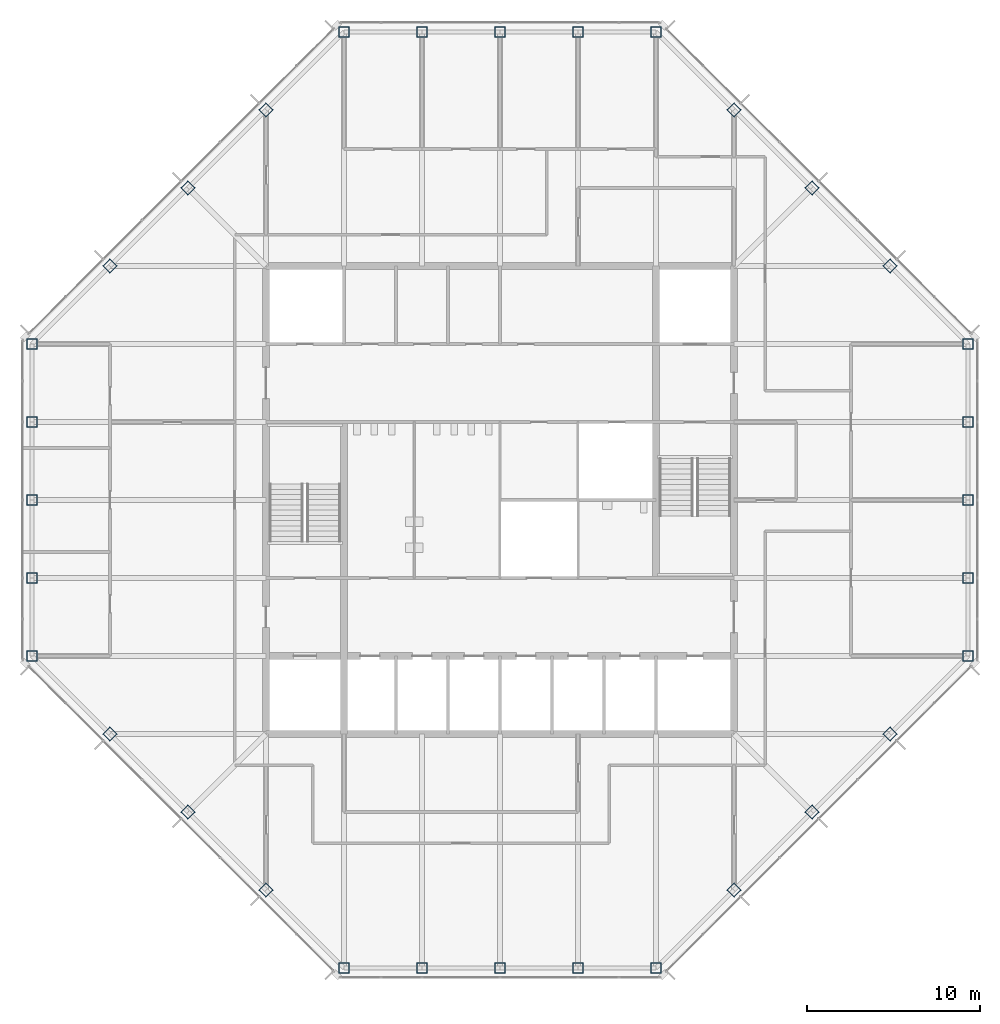
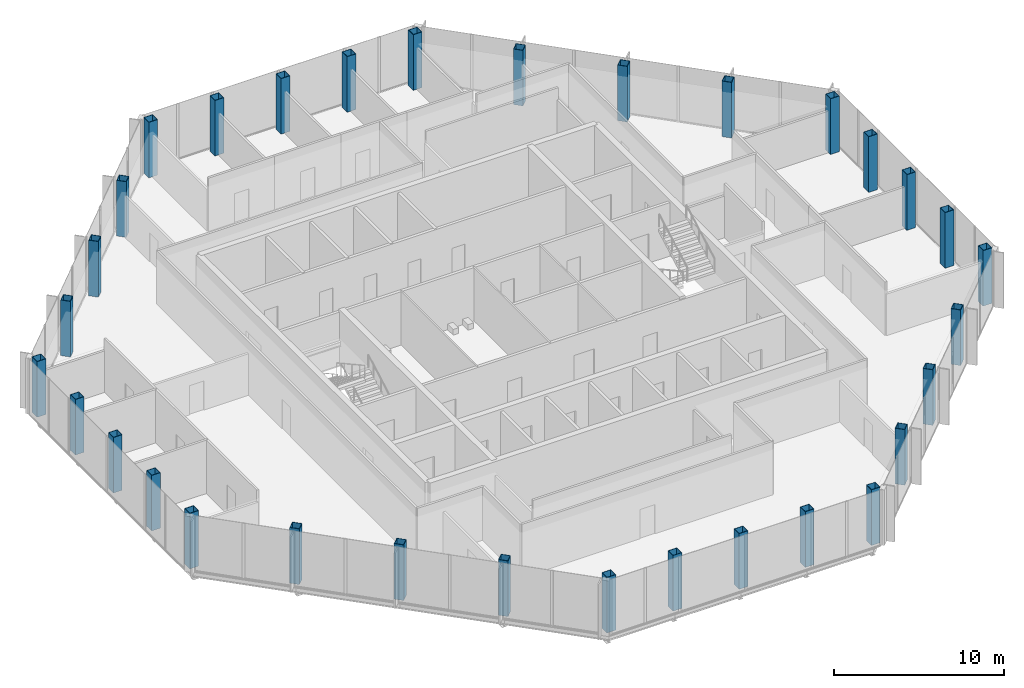
# One storey, part 1 of 14: 32 columns.
"""IFC4 building model written with IfcOpenShell, lengths in metres."""

from ifc_helpers import new_model, si_unit, direction, frame, origin, origin_2d, place, context, subcontext, project, spatial, hollow_rectangle, extrude, material, material_profile, profile_set, type_object, element, save


model = new_model("IFC4")

# Units and contexts
model_context = context("Model", 3, precision=1e-05, world=origin(), true_north=direction((0.0, 1.0)))
body_context = subcontext(model_context, "Body", "Model", "MODEL_VIEW")
ifc_project = project(units=[si_unit("LENGTHUNIT", "METRE"), si_unit("AREAUNIT", "SQUARE_METRE"), si_unit("VOLUMEUNIT", "CUBIC_METRE"), si_unit("PLANEANGLEUNIT", "RADIAN"), si_unit("MASSUNIT", "GRAM", prefix="KILO")], contexts=[model_context])

# Site, building, storey
site_placement = place(None, origin())
site = spatial("IfcSite", under=ifc_project, at=site_placement, CompositionType="ELEMENT")
building_placement = place(site_placement, origin())
building = spatial("IfcBuilding", under=site, at=building_placement, Name="Corais Broadcast Tower", CompositionType="ELEMENT")
storey_placement = place(building_placement, frame((0.0, 0.0, 290.60009765625)))
storey = spatial("IfcBuildingStorey", under=building, at=storey_placement, Name="L68", CompositionType="ELEMENT", Elevation=290.60009765625)

# Columns
ifc_material = material(Name="Steel ASTM A572 Grade 50", Category="steel")
ifc_material_profile = material_profile(ifc_material, hollow_rectangle(XDim=0.60009765625, YDim=0.60009765625, WallThickness=0.028076171875, at=origin_2d()), Name="BOX 600x600x28")
ifc_profile_set = profile_set([ifc_material_profile], Name="Steel ASTM A572 Grade 50")
column_type = type_object("IfcColumnType", Name="Column BOX 600x600x28", PredefinedType="COLUMN", material=ifc_profile_set)
for number, where, z_axis, x_axis, name in (
    (1, (18.0, 0.0, 0.0), (0.0, 0.0, 1.0), (1.0, 0.0, 0.0), "C7 A/7"),
    (2, (22.5, 0.0, 0.0), (0.0, 0.0, 1.0), (1.0, 0.0, 0.0), "C7 A/8"),
    (3, (27.0, 0.0, 0.0), (0.0, 0.0, 1.0), (1.0, 0.0, 0.0), "C7 A/9"),
    (4, (31.5, 0.0, 0.0), (0.0, 0.0, 1.0), (1.0, 0.0, 0.0), "C7 A/10"),
    (5, (36.0, 0.0, 0.0), (0.0, 0.0, 1.0), (1.0, 0.0, 0.0), "C7 A/11"),
    (6, (54.0, 18.0, 0.0), (0.0, 0.0, 1.0), (1.0, 0.0, 0.0), "C7 E/15"),
    (7, (54.0, 22.5, 0.0), (0.0, 0.0, 1.0), (1.0, 0.0, 0.0), "C7 F/15"),
    (8, (54.0, 27.0, 0.0), (0.0, 0.0, 1.0), (1.0, 0.0, 0.0), "C7 G/15"),
    (9, (54.0, 31.5, 0.0), (0.0, 0.0, 1.0), (1.0, 0.0, 0.0), "C7 H/15"),
    (10, (54.0, 36.0, 0.0), (0.0, 0.0, 1.0), (1.0, 0.0, 0.0), "C7 J/15"),
    (11, (36.0, 54.0, 0.0), (0.0, 0.0, 1.0), (1.0, 0.0, 0.0), "C7 N/11"),
    (12, (31.5, 54.0, 0.0), (0.0, 0.0, 1.0), (1.0, 0.0, 0.0), "C7 N/10"),
    (13, (27.0, 54.0, 0.0), (0.0, 0.0, 1.0), (1.0, 0.0, 0.0), "C7 N/9"),
    (14, (22.5, 54.0, 0.0), (0.0, 0.0, 1.0), (1.0, 0.0, 0.0), "C7 N/8"),
    (15, (18.0, 54.0, 0.0), (0.0, 0.0, 1.0), (1.0, 0.0, 0.0), "C7 N/7"),
    (16, (0.0, 36.0, 0.0), (0.0, 0.0, 1.0), (1.0, 0.0, 0.0), "C7 J/3"),
    (17, (0.0, 31.5, 0.0), (0.0, 0.0, 1.0), (1.0, 0.0, 0.0), "C7 H/3"),
    (18, (0.0, 27.0, 0.0), (0.0, 0.0, 1.0), (1.0, 0.0, 0.0), "C7 G/3"),
    (19, (0.0, 22.5, 0.0), (0.0, 0.0, 1.0), (1.0, 0.0, 0.0), "C7 F/3"),
    (20, (0.0, 18.0, 0.0), (0.0, 0.0, 1.0), (1.0, 0.0, 0.0), "C7 E/3"),
    (21, (13.5, 4.5, 0.0), (0.0, 0.0, 1.0), (0.707106781187, 0.707106781187, 0.0), "C7 B/6"),
    (22, (9.0, 9.0, 0.0), (0.0, 0.0, 1.0), (0.707106781187, 0.707106781187, 0.0), "C7 C/5"),
    (23, (4.5, 13.5, 0.0), (0.0, 0.0, 1.0), (0.707106781187, 0.707106781187, 0.0), "C7 D/4"),
    (24, (40.5, 4.5, 0.0), (0.0, 0.0, 1.0), (0.707106781187, 0.707106781187, 0.0), "C7 B/12"),
    (25, (45.0, 9.0, 0.0), (0.0, 0.0, 1.0), (0.707106781187, 0.707106781187, 0.0), "C7 C/13"),
    (26, (49.5, 13.5, 0.0), (0.0, 0.0, 1.0), (0.707106781187, 0.707106781187, 0.0), "C7 D/14"),
    (27, (49.5, 40.5, 0.0), (0.0, 0.0, 1.0), (0.707106781187, 0.707106781187, 0.0), "C7 K/14"),
    (28, (45.0, 45.0, 0.0), (0.0, 0.0, 1.0), (0.707106781187, 0.707106781187, 0.0), "C7 L/13"),
    (29, (40.5, 49.5, 0.0), (0.0, 0.0, 1.0), (0.707106781187, 0.707106781187, 0.0), "C7 M/12"),
    (30, (4.5, 40.5, 0.0), (0.0, 0.0, 1.0), (0.707106781187, 0.707106781187, 0.0), "C7 K/4"),
    (31, (9.0, 45.0, 0.0), (0.0, 0.0, 1.0), (0.707106781187, 0.707106781187, 0.0), "C7 L/5"),
    (32, (13.5, 49.5, 0.0), (0.0, 0.0, 1.0), (0.707106781187, 0.707106781187, 0.0), "C7 M/6"),
):
    element("IfcColumn", number, at=place(storey_placement, frame(where, z_axis=z_axis, x_axis=x_axis)), inside=storey, type_object=column_type, Name=name, PredefinedType="COLUMN", context=body_context, shape_type="SweptSolid", body=[
        extrude(hollow_rectangle(XDim=0.60009765625, YDim=0.60009765625, WallThickness=0.028076171875, at=origin_2d()), origin(), (0.0, 0.0, 1.0), 4.0),
    ])

save(model, "model.ifc")
